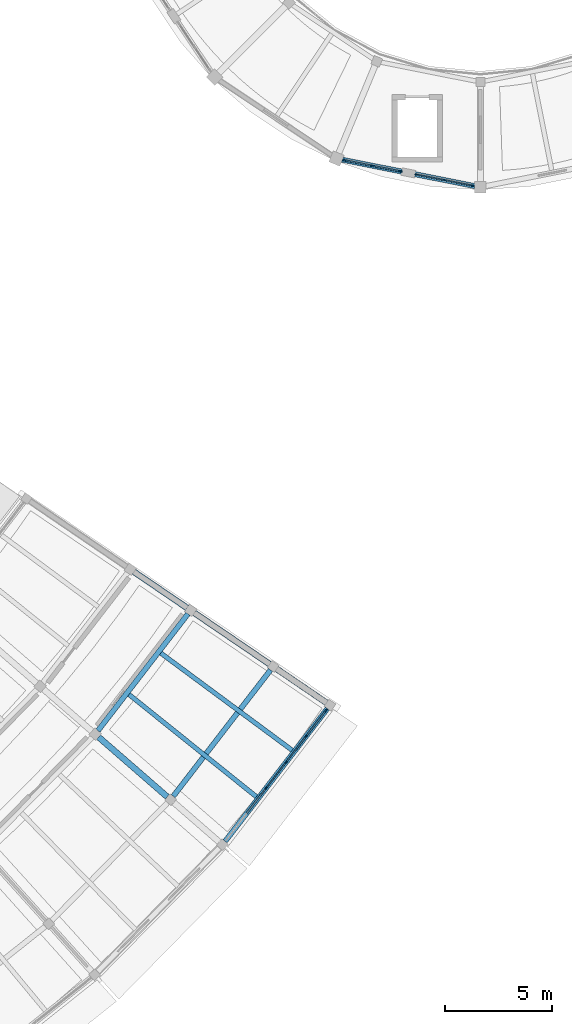
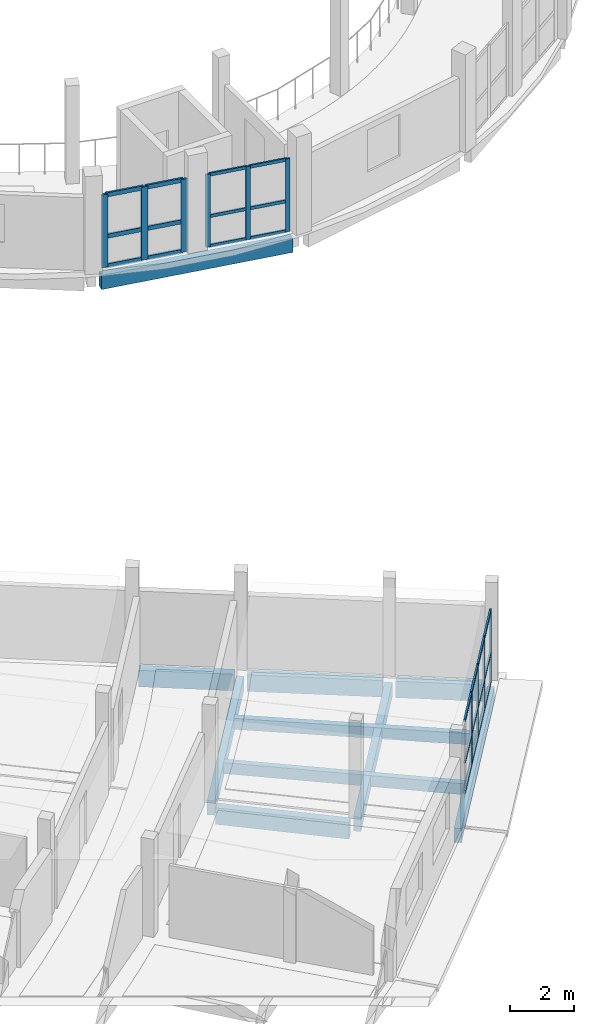
# One storey, part 40 of 77: 34 members, 10 beams, 3 elements without a shape of their own.
"""IFC4 building model written with IfcOpenShell, lengths in metres."""

from ifc_helpers import new_model, si_unit, direction, frame, origin, origin_2d, place, context, subcontext, project, spatial, rectangle, extrude, material, layer, layer_set, material_profile, profile_set, type_object, element, aggregate, save


model = new_model("IFC4")

# Units and contexts
model_context = context("Model", 3, precision=1e-05, world=origin(), true_north=direction((0.0, 1.0)))
body_context = subcontext(model_context, "Body", "Model", "MODEL_VIEW")
ifc_project = project(units=[si_unit("LENGTHUNIT", "METRE"), si_unit("AREAUNIT", "SQUARE_METRE"), si_unit("VOLUMEUNIT", "CUBIC_METRE"), si_unit("PLANEANGLEUNIT", "RADIAN"), si_unit("MASSUNIT", "GRAM", prefix="KILO")], contexts=[model_context])

# Site, building, storey
site_placement = place(None, origin())
site = spatial("IfcSite", under=ifc_project, at=site_placement, CompositionType="ELEMENT")
building_placement = place(site_placement, origin())
building = spatial("IfcBuilding", under=site, at=building_placement, Name="Caldaven Crescent School", CompositionType="ELEMENT")
storey_placement = place(building_placement, frame((0.0, 0.0, 4.419921875)))
storey = spatial("IfcBuildingStorey", under=building, at=storey_placement, Name="L01", CompositionType="ELEMENT", Elevation=4.419921875)

# Beams
ifc_material_1 = material(Name="Glulam MLE24h (GL28h)", Category="wood")
ifc_material_profile_1 = material_profile(ifc_material_1, rectangle(XDim=0.239990234375, YDim=0.5400390625, at=origin_2d()), Name="MLE 240x540")
ifc_profile_set_1 = profile_set([ifc_material_profile_1], Name="Glulam MLE24h (GL28h)")
beam_type_1 = type_object("IfcBeamType", Name="BM-GL54", PredefinedType="BEAM", material=ifc_profile_set_1)
beam_1_placement = place(storey_placement, frame((134.690673828125, 55.68359375, -0.489990234375), z_axis=(0.610409413831, 0.792086073294, 0.0), x_axis=(-0.792086073294, 0.610409413831, 0.0)))
element("IfcBeam", 1, at=beam_1_placement, inside=storey, type_object=beam_type_1, Name="BMT-V4E-L01-1128", PredefinedType="BEAM", context=body_context, shape_type="SweptSolid", body=[
    extrude(rectangle(XDim=0.239990234375, YDim=0.5400390625, at=origin_2d()), origin(), (0.0, 0.0, 1.0), 6.870849609375),
])
beam_2_placement = place(storey_placement, frame((138.2001953125, 52.6328125, -0.489990234375), z_axis=(0.610378420068, 0.792109957213, 0.0), x_axis=(-0.792109957213, 0.610378420068, 0.0)))
element("IfcBeam", 2, at=beam_2_placement, inside=storey, type_object=beam_type_1, Name="BMT-V4E-L01-1129", PredefinedType="BEAM", context=body_context, shape_type="SweptSolid", body=[
    extrude(rectangle(XDim=0.239990234375, YDim=0.5400390625, at=origin_2d()), origin(), (0.0, 0.0, 1.0), 7.419677734375),
])
ifc_material_profile_2 = material_profile(ifc_material_1, rectangle(XDim=0.280029296875, YDim=0.6298828125, at=origin_2d()), Name="MLE 280x630")
ifc_profile_set_2 = profile_set([ifc_material_profile_2], Name="Glulam MLE24h (GL28h)")
beam_type_2 = type_object("IfcBeamType", Name="BM-GL63", PredefinedType="BEAM", material=ifc_profile_set_2)
beam_3_placement = place(storey_placement, frame((134.72021484375, 55.38671875, -0.534912109375), z_axis=(0.754702203892, -0.656067514392, 0.0), x_axis=(0.656067514392, 0.754702203892, 0.0)))
element("IfcBeam", 3, at=beam_3_placement, inside=storey, type_object=beam_type_2, Name="BMR-V4E-L01-1088", PredefinedType="BEAM", context=body_context, shape_type="SweptSolid", body=[
    extrude(rectangle(XDim=0.280029296875, YDim=0.6298828125, at=origin_2d()), origin(), (0.0, 0.0, 1.0), 4.239990234375),
])
beam_4_placement = place(storey_placement, frame((136.368408203125, 63.0859375, -0.534912109375), z_axis=(0.826736616188, -0.562589164003, 0.0), x_axis=(0.562589164003, 0.826736616188, 0.0)))
element("IfcBeam", 4, at=beam_4_placement, inside=storey, type_object=beam_type_2, Name="BMR-V4E-L01-1091", PredefinedType="BEAM", context=body_context, shape_type="SweptSolid", body=[
    extrude(rectangle(XDim=0.280029296875, YDim=0.6298828125, at=origin_2d()), origin(), (0.0, 0.0, 1.0), 2.989990234375),
])
beam_5_placement = place(storey_placement, frame((139.17919921875, 61.173095703125, -0.534912109375), z_axis=(0.82675082018, -0.562568290372, 0.0), x_axis=(0.562568290372, 0.82675082018, 0.0)))
element("IfcBeam", 5, at=beam_5_placement, inside=storey, type_object=beam_type_2, Name="BMR-V4E-L01-1092", PredefinedType="BEAM", context=body_context, shape_type="SweptSolid", body=[
    extrude(rectangle(XDim=0.280029296875, YDim=0.6298828125, at=origin_2d()), origin(), (0.0, 0.0, 1.0), 4.239990234375),
])
beam_6_placement = place(storey_placement, frame((143.023681640625, 58.55712890625, -0.534912109375), z_axis=(0.826749057063, -0.562570881441, 0.0), x_axis=(0.562570881441, 0.826749057063, 0.0)))
element("IfcBeam", 6, at=beam_6_placement, inside=storey, type_object=beam_type_2, Name="BMR-V4E-L01-1093", PredefinedType="BEAM", context=body_context, shape_type="SweptSolid", body=[
    extrude(rectangle(XDim=0.280029296875, YDim=0.6298828125, at=origin_2d()), origin(), (0.0, 0.0, 1.0), 2.7900390625),
])

# Curtain wall, members
ifc_material_2 = material(Name="Anodised aluminium AA 6063-T6 and low-E double glazing", Category="aluminium")
ifc_layer_1 = layer(ifc_material_2, 0.169921875)
ifc_layer_set_1 = layer_set([ifc_layer_1], Name="Anodised aluminium AA 6063-T6 and low-E double glazing")
curtain_wall_type_1 = type_object("IfcCurtainWallType", Name="CW-SYS1", PredefinedType="NOTDEFINED", material=ifc_layer_set_1)
curtain_wall_1_placement = place(storey_placement, origin())
curtain_wall_1 = element("IfcCurtainWall", 7, at=curtain_wall_1_placement, inside=storey, type_object=curtain_wall_type_1, Name="CW-L01-028", PredefinedType="NOTDEFINED")
ifc_material_3 = material(Name="Anodised aluminium AA 6063-T6", Category="aluminium")
ifc_material_profile_3 = material_profile(ifc_material_3, rectangle(XDim=0.06005859375, YDim=0.14990234375, at=origin_2d()), Name="CWM 60x150")
ifc_profile_set_3 = profile_set([ifc_material_profile_3], Name="Anodised aluminium AA 6063-T6")
member_type_1 = type_object("IfcMemberType", Name="CWM-T1", PredefinedType="MULLION", material=ifc_profile_set_3)
member_1_placement = place(storey_placement, frame((149.533935546875, 81.590087890625, 0.0), z_axis=(0.0, 0.0, 1.0), x_axis=(0.195090276825, 0.980785289392, 0.0)))
member_1 = element("IfcMember", 8, at=member_1_placement, type_object=member_type_1, Name="CW1 mullion 1", PredefinedType="MULLION", context=body_context, shape_type="SweptSolid", body=[
    extrude(rectangle(XDim=0.06005859375, YDim=0.14990234375, at=origin_2d()), origin(), (0.0, 0.0, 1.0), 2.780029296875),
])
member_2_placement = place(storey_placement, frame((150.82568359375, 81.3330078125, 0.0), z_axis=(0.0, 0.0, 1.0), x_axis=(0.195090276825, 0.980785289392, 0.0)))
member_2 = element("IfcMember", 9, at=member_2_placement, type_object=member_type_1, Name="CW1 mullion 2", PredefinedType="MULLION", context=body_context, shape_type="SweptSolid", body=[
    extrude(rectangle(XDim=0.06005859375, YDim=0.14990234375, at=origin_2d()), origin(), (0.0, 0.0, 1.0), 2.780029296875),
])
member_3_placement = place(storey_placement, frame((152.117431640625, 81.076171875, 0.0), z_axis=(0.0, 0.0, 1.0), x_axis=(0.195090276825, 0.980785289392, 0.0)))
member_3 = element("IfcMember", 10, at=member_3_placement, type_object=member_type_1, Name="CW1 mullion 3", PredefinedType="MULLION", context=body_context, shape_type="SweptSolid", body=[
    extrude(rectangle(XDim=0.06005859375, YDim=0.14990234375, at=origin_2d()), origin(), (0.0, 0.0, 1.0), 2.780029296875),
])

ifc_layer_2 = layer(ifc_material_2, 0.2099609375)
ifc_layer_set_2 = layer_set([ifc_layer_2], Name="Anodised aluminium AA 6063-T6 and low-E double glazing")
curtain_wall_type_2 = type_object("IfcCurtainWallType", Name="CW-SYS3", PredefinedType="NOTDEFINED", material=ifc_layer_set_2)
curtain_wall_2_placement = place(storey_placement, origin())
curtain_wall_2 = element("IfcCurtainWall", 11, at=curtain_wall_2_placement, inside=storey, type_object=curtain_wall_type_2, Name="CW-L01-135", PredefinedType="NOTDEFINED")
member_4_placement = place(storey_placement, frame((142.530517578125, 53.01904296875, 0.0), z_axis=(0.0, 0.0, 1.0), x_axis=(-0.792104244757, 0.610385833254, 0.0)))
member_4 = element("IfcMember", 12, at=member_4_placement, type_object=member_type_1, Name="CW3 mullion 3", PredefinedType="MULLION", context=body_context, shape_type="SweptSolid", body=[
    extrude(rectangle(XDim=0.06005859375, YDim=0.14990234375, at=origin_2d()), origin(), (0.0, 0.0, 1.0), 2.780029296875),
])
member_5_placement = place(storey_placement, frame((143.459228515625, 54.22412109375, 0.0), z_axis=(0.0, 0.0, 1.0), x_axis=(-0.792104244757, 0.610385833254, 0.0)))
member_5 = element("IfcMember", 13, at=member_5_placement, type_object=member_type_1, Name="CW3 mullion 4", PredefinedType="MULLION", context=body_context, shape_type="SweptSolid", body=[
    extrude(rectangle(XDim=0.06005859375, YDim=0.14990234375, at=origin_2d()), origin(), (0.0, 0.0, 1.0), 2.780029296875),
])
member_6_placement = place(storey_placement, frame((144.387939453125, 55.429443359375, 0.0), z_axis=(0.0, 0.0, 1.0), x_axis=(-0.792104244757, 0.610385833254, 0.0)))
member_6 = element("IfcMember", 14, at=member_6_placement, type_object=member_type_1, Name="CW3 mullion 5", PredefinedType="MULLION", context=body_context, shape_type="SweptSolid", body=[
    extrude(rectangle(XDim=0.06005859375, YDim=0.14990234375, at=origin_2d()), origin(), (0.0, 0.0, 1.0), 2.780029296875),
])
member_7_placement = place(storey_placement, frame((145.29833984375, 56.61083984375, 0.0), z_axis=(0.0, 0.0, 1.0), x_axis=(-0.792104244757, 0.610385833254, 0.0)))
member_7 = element("IfcMember", 15, at=member_7_placement, type_object=member_type_1, Name="CW3 mullion 6", PredefinedType="MULLION", context=body_context, shape_type="SweptSolid", body=[
    extrude(rectangle(XDim=0.06005859375, YDim=0.14990234375, at=origin_2d()), origin(), (0.0, 0.0, 1.0), 2.780029296875),
])

ifc_layer_3 = layer(ifc_material_2, 0.22998046875)
ifc_layer_set_3 = layer_set([ifc_layer_3], Name="Anodised aluminium AA 6063-T6 and low-E double glazing")
curtain_wall_type_3 = type_object("IfcCurtainWallType", Name="CW-SYS4", PredefinedType="NOTDEFINED", material=ifc_layer_set_3)
curtain_wall_3_placement = place(storey_placement, origin())
curtain_wall_3 = element("IfcCurtainWall", 16, at=curtain_wall_3_placement, inside=storey, type_object=curtain_wall_type_3, Name="CW-L01-027", PredefinedType="NOTDEFINED")
ifc_material_profile_4 = material_profile(ifc_material_3, rectangle(XDim=0.070068359375, YDim=0.2099609375, at=origin_2d()), Name="CWM 70x210")
ifc_profile_set_4 = profile_set([ifc_material_profile_4], Name="Anodised aluminium AA 6063-T6")
member_type_2 = type_object("IfcMemberType", Name="CWM-T3", PredefinedType="MULLION", material=ifc_profile_set_4)
member_8_placement = place(storey_placement, frame((146.1904296875, 82.255126953125, 0.0), z_axis=(0.0, 0.0, 1.0), x_axis=(0.195090276825, 0.980785289392, 0.0)))
member_8 = element("IfcMember", 17, at=member_8_placement, type_object=member_type_2, Name="CW4 mullion 1", PredefinedType="MULLION", context=body_context, shape_type="SweptSolid", body=[
    extrude(rectangle(XDim=0.070068359375, YDim=0.2099609375, at=origin_2d()), origin(), (0.0, 0.0, 1.0), 2.780029296875),
])
member_9_placement = place(storey_placement, frame((147.477294921875, 81.9990234375, 0.0), z_axis=(0.0, 0.0, 1.0), x_axis=(0.195090276825, 0.980785289392, 0.0)))
member_9 = element("IfcMember", 18, at=member_9_placement, type_object=member_type_2, Name="CW4 mullion 2", PredefinedType="MULLION", context=body_context, shape_type="SweptSolid", body=[
    extrude(rectangle(XDim=0.070068359375, YDim=0.2099609375, at=origin_2d()), origin(), (0.0, 0.0, 1.0), 2.780029296875),
])
member_10_placement = place(storey_placement, frame((148.76416015625, 81.7431640625, 0.0), z_axis=(0.0, 0.0, 1.0), x_axis=(0.195090276825, 0.980785289392, 0.0)))
member_10 = element("IfcMember", 19, at=member_10_placement, type_object=member_type_2, Name="CW4 mullion 3", PredefinedType="MULLION", context=body_context, shape_type="SweptSolid", body=[
    extrude(rectangle(XDim=0.070068359375, YDim=0.2099609375, at=origin_2d()), origin(), (0.0, 0.0, 1.0), 2.780029296875),
])

# Member
ifc_material_profile_5 = material_profile(ifc_material_3, rectangle(XDim=0.06005859375, YDim=0.1201171875, at=origin_2d()), Name="CWT 60x120")
ifc_profile_set_5 = profile_set([ifc_material_profile_5], Name="Anodised aluminium AA 6063-T6")
member_type_3 = type_object("IfcMemberType", Name="CWT-T1", PredefinedType="USERDEFINED", material=ifc_profile_set_5)
member_11_placement = place(storey_placement, frame((149.5634765625, 81.584228515625, 0.030029296875), z_axis=(0.98076697277, -0.195182338145, 0.0), x_axis=(0.195182338145, 0.98076697277, 0.0)))
member_11 = element("IfcMember", 20, at=member_11_placement, type_object=member_type_3, Name="CW1 transom 1.1", ObjectType="TRANSOM", PredefinedType="USERDEFINED", context=body_context, shape_type="SweptSolid", body=[
    extrude(rectangle(XDim=0.06005859375, YDim=0.1201171875, at=origin_2d()), origin(), (0.0, 0.0, 1.0), 1.257080078125),
])

member_12_placement = place(storey_placement, frame((149.5634765625, 81.584228515625, 1.16796875), z_axis=(0.98076697277, -0.195182338145, 0.0), x_axis=(0.195182338145, 0.98076697277, 0.0)))
member_12 = element("IfcMember", 21, at=member_12_placement, type_object=member_type_3, Name="CW1 transom 1.2", ObjectType="TRANSOM", PredefinedType="USERDEFINED", context=body_context, shape_type="SweptSolid", body=[
    extrude(rectangle(XDim=0.06005859375, YDim=0.1201171875, at=origin_2d()), origin(), (0.0, 0.0, 1.0), 1.257080078125),
])

member_13_placement = place(storey_placement, frame((149.5634765625, 81.584228515625, 2.75), z_axis=(0.98076697277, -0.195182338145, 0.0), x_axis=(0.195182338145, 0.98076697277, 0.0)))
member_13 = element("IfcMember", 22, at=member_13_placement, type_object=member_type_3, Name="CW1 transom 1.3", ObjectType="TRANSOM", PredefinedType="USERDEFINED", context=body_context, shape_type="SweptSolid", body=[
    extrude(rectangle(XDim=0.06005859375, YDim=0.1201171875, at=origin_2d()), origin(), (0.0, 0.0, 1.0), 1.257080078125),
])

member_14_placement = place(storey_placement, frame((150.855224609375, 81.3271484375, 0.030029296875), z_axis=(0.980804133939, -0.194995514945, 0.0), x_axis=(0.194995514945, 0.980804133939, 0.0)))
member_14 = element("IfcMember", 23, at=member_14_placement, type_object=member_type_3, Name="CW1 transom 2.1", ObjectType="TRANSOM", PredefinedType="USERDEFINED", context=body_context, shape_type="SweptSolid", body=[
    extrude(rectangle(XDim=0.06005859375, YDim=0.1201171875, at=origin_2d()), origin(), (0.0, 0.0, 1.0), 1.257080078125),
])

member_15_placement = place(storey_placement, frame((150.855224609375, 81.3271484375, 1.16796875), z_axis=(0.980804133939, -0.194995514945, 0.0), x_axis=(0.194995514945, 0.980804133939, 0.0)))
member_15 = element("IfcMember", 24, at=member_15_placement, type_object=member_type_3, Name="CW1 transom 2.2", ObjectType="TRANSOM", PredefinedType="USERDEFINED", context=body_context, shape_type="SweptSolid", body=[
    extrude(rectangle(XDim=0.06005859375, YDim=0.1201171875, at=origin_2d()), origin(), (0.0, 0.0, 1.0), 1.257080078125),
])

member_16_placement = place(storey_placement, frame((150.855224609375, 81.3271484375, 2.75), z_axis=(0.980804133939, -0.194995514945, 0.0), x_axis=(0.194995514945, 0.980804133939, 0.0)))
member_16 = element("IfcMember", 25, at=member_16_placement, type_object=member_type_3, Name="CW1 transom 2.3", ObjectType="TRANSOM", PredefinedType="USERDEFINED", context=body_context, shape_type="SweptSolid", body=[
    extrude(rectangle(XDim=0.06005859375, YDim=0.1201171875, at=origin_2d()), origin(), (0.0, 0.0, 1.0), 1.257080078125),
])

aggregate(curtain_wall_1, [member_1, member_2, member_3, member_11, member_12, member_13, member_14, member_15, member_16])

member_17_placement = place(storey_placement, frame((141.6201171875, 51.837646484375, 0.030029296875), z_axis=(0.610372507609, 0.792114513158, 0.0), x_axis=(-0.792114513158, 0.610372507609, 0.0)))
member_17 = element("IfcMember", 26, at=member_17_placement, type_object=member_type_3, Name="CW3 transom 2.1", ObjectType="TRANSOM", PredefinedType="USERDEFINED", context=body_context, shape_type="SweptSolid", body=[
    extrude(rectangle(XDim=0.06005859375, YDim=0.1201171875, at=origin_2d()), origin(), (0.0, 0.0, 1.0), 1.461669921875),
])

member_18_placement = place(storey_placement, frame((141.6201171875, 51.837646484375, 1.16796875), z_axis=(0.610372507609, 0.792114513158, 0.0), x_axis=(-0.792114513158, 0.610372507609, 0.0)))
member_18 = element("IfcMember", 27, at=member_18_placement, type_object=member_type_3, Name="CW3 transom 2.2", ObjectType="TRANSOM", PredefinedType="USERDEFINED", context=body_context, shape_type="SweptSolid", body=[
    extrude(rectangle(XDim=0.06005859375, YDim=0.1201171875, at=origin_2d()), origin(), (0.0, 0.0, 1.0), 1.461669921875),
])

member_19_placement = place(storey_placement, frame((141.6201171875, 51.837646484375, 2.75), z_axis=(0.610372507609, 0.792114513158, 0.0), x_axis=(-0.792114513158, 0.610372507609, 0.0)))
member_19 = element("IfcMember", 28, at=member_19_placement, type_object=member_type_3, Name="CW3 transom 2.3", ObjectType="TRANSOM", PredefinedType="USERDEFINED", context=body_context, shape_type="SweptSolid", body=[
    extrude(rectangle(XDim=0.06005859375, YDim=0.1201171875, at=origin_2d()), origin(), (0.0, 0.0, 1.0), 1.461669921875),
])

member_20_placement = place(storey_placement, frame((142.548828125, 53.042724609375, 0.030029296875), z_axis=(0.610372507609, 0.792114513158, 0.0), x_axis=(-0.792114513158, 0.610372507609, 0.0)))
member_20 = element("IfcMember", 29, at=member_20_placement, type_object=member_type_3, Name="CW3 transom 3.1", ObjectType="TRANSOM", PredefinedType="USERDEFINED", context=body_context, shape_type="SweptSolid", body=[
    extrude(rectangle(XDim=0.06005859375, YDim=0.1201171875, at=origin_2d()), origin(), (0.0, 0.0, 1.0), 1.461669921875),
])

member_21_placement = place(storey_placement, frame((142.548828125, 53.042724609375, 1.16796875), z_axis=(0.610372507609, 0.792114513158, 0.0), x_axis=(-0.792114513158, 0.610372507609, 0.0)))
member_21 = element("IfcMember", 30, at=member_21_placement, type_object=member_type_3, Name="CW3 transom 3.2", ObjectType="TRANSOM", PredefinedType="USERDEFINED", context=body_context, shape_type="SweptSolid", body=[
    extrude(rectangle(XDim=0.06005859375, YDim=0.1201171875, at=origin_2d()), origin(), (0.0, 0.0, 1.0), 1.461669921875),
])

member_22_placement = place(storey_placement, frame((142.548828125, 53.042724609375, 2.75), z_axis=(0.610372507609, 0.792114513158, 0.0), x_axis=(-0.792114513158, 0.610372507609, 0.0)))
member_22 = element("IfcMember", 31, at=member_22_placement, type_object=member_type_3, Name="CW3 transom 3.3", ObjectType="TRANSOM", PredefinedType="USERDEFINED", context=body_context, shape_type="SweptSolid", body=[
    extrude(rectangle(XDim=0.06005859375, YDim=0.1201171875, at=origin_2d()), origin(), (0.0, 0.0, 1.0), 1.461669921875),
])

member_23_placement = place(storey_placement, frame((143.4775390625, 54.248046875, 0.030029296875), z_axis=(0.610453277548, 0.792052268434, 0.0), x_axis=(-0.792052268434, 0.610453277548, 0.0)))
member_23 = element("IfcMember", 32, at=member_23_placement, type_object=member_type_3, Name="CW3 transom 4.1", ObjectType="TRANSOM", PredefinedType="USERDEFINED", context=body_context, shape_type="SweptSolid", body=[
    extrude(rectangle(XDim=0.06005859375, YDim=0.1201171875, at=origin_2d()), origin(), (0.0, 0.0, 1.0), 1.46142578125),
])

member_24_placement = place(storey_placement, frame((143.4775390625, 54.248046875, 1.16796875), z_axis=(0.610453277548, 0.792052268434, 0.0), x_axis=(-0.792052268434, 0.610453277548, 0.0)))
member_24 = element("IfcMember", 33, at=member_24_placement, type_object=member_type_3, Name="CW3 transom 4.2", ObjectType="TRANSOM", PredefinedType="USERDEFINED", context=body_context, shape_type="SweptSolid", body=[
    extrude(rectangle(XDim=0.06005859375, YDim=0.1201171875, at=origin_2d()), origin(), (0.0, 0.0, 1.0), 1.46142578125),
])

member_25_placement = place(storey_placement, frame((143.4775390625, 54.248046875, 2.75), z_axis=(0.610453277548, 0.792052268434, 0.0), x_axis=(-0.792052268434, 0.610453277548, 0.0)))
member_25 = element("IfcMember", 34, at=member_25_placement, type_object=member_type_3, Name="CW3 transom 4.3", ObjectType="TRANSOM", PredefinedType="USERDEFINED", context=body_context, shape_type="SweptSolid", body=[
    extrude(rectangle(XDim=0.06005859375, YDim=0.1201171875, at=origin_2d()), origin(), (0.0, 0.0, 1.0), 1.46142578125),
])

member_26_placement = place(storey_placement, frame((144.40625, 55.453125, 0.030029296875), z_axis=(0.6104276164, 0.792072045421, 0.0), x_axis=(-0.792072045421, 0.6104276164, 0.0)))
member_26 = element("IfcMember", 35, at=member_26_placement, type_object=member_type_3, Name="CW3 transom 5.1", ObjectType="TRANSOM", PredefinedType="USERDEFINED", context=body_context, shape_type="SweptSolid", body=[
    extrude(rectangle(XDim=0.06005859375, YDim=0.1201171875, at=origin_2d()), origin(), (0.0, 0.0, 1.0), 1.431396484375),
])

member_27_placement = place(storey_placement, frame((144.40625, 55.453125, 1.16796875), z_axis=(0.6104276164, 0.792072045421, 0.0), x_axis=(-0.792072045421, 0.6104276164, 0.0)))
member_27 = element("IfcMember", 36, at=member_27_placement, type_object=member_type_3, Name="CW3 transom 5.2", ObjectType="TRANSOM", PredefinedType="USERDEFINED", context=body_context, shape_type="SweptSolid", body=[
    extrude(rectangle(XDim=0.06005859375, YDim=0.1201171875, at=origin_2d()), origin(), (0.0, 0.0, 1.0), 1.431396484375),
])

member_28_placement = place(storey_placement, frame((144.40625, 55.453125, 2.75), z_axis=(0.6104276164, 0.792072045421, 0.0), x_axis=(-0.792072045421, 0.6104276164, 0.0)))
member_28 = element("IfcMember", 37, at=member_28_placement, type_object=member_type_3, Name="CW3 transom 5.3", ObjectType="TRANSOM", PredefinedType="USERDEFINED", context=body_context, shape_type="SweptSolid", body=[
    extrude(rectangle(XDim=0.06005859375, YDim=0.1201171875, at=origin_2d()), origin(), (0.0, 0.0, 1.0), 1.431396484375),
])

aggregate(curtain_wall_2, [member_4, member_5, member_6, member_7, member_17, member_18, member_19, member_20, member_21, member_22, member_23, member_24, member_25, member_26, member_27, member_28])

ifc_material_profile_6 = material_profile(ifc_material_3, rectangle(XDim=0.070068359375, YDim=0.159912109375, at=origin_2d()), Name="CWT 70x160")
ifc_profile_set_6 = profile_set([ifc_material_profile_6], Name="Anodised aluminium AA 6063-T6")
member_type_4 = type_object("IfcMemberType", Name="CWT-T3", PredefinedType="USERDEFINED", material=ifc_profile_set_6)
member_29_placement = place(storey_placement, frame((146.224853515625, 82.248291015625, 0.03515625), z_axis=(0.98076171885, -0.195208736584, 0.0), x_axis=(0.195208736584, 0.98076171885, 0.0)))
member_29 = element("IfcMember", 38, at=member_29_placement, type_object=member_type_4, Name="CW4 transom 1.1", ObjectType="TRANSOM", PredefinedType="USERDEFINED", context=body_context, shape_type="SweptSolid", body=[
    extrude(rectangle(XDim=0.070068359375, YDim=0.159912109375, at=origin_2d()), origin(), (0.0, 0.0, 1.0), 1.241943359375),
])

member_30_placement = place(storey_placement, frame((146.224853515625, 82.248291015625, 1.16796875), z_axis=(0.98076171885, -0.195208736584, 0.0), x_axis=(0.195208736584, 0.98076171885, 0.0)))
member_30 = element("IfcMember", 39, at=member_30_placement, type_object=member_type_4, Name="CW4 transom 1.2", ObjectType="TRANSOM", PredefinedType="USERDEFINED", context=body_context, shape_type="SweptSolid", body=[
    extrude(rectangle(XDim=0.070068359375, YDim=0.159912109375, at=origin_2d()), origin(), (0.0, 0.0, 1.0), 1.241943359375),
])

member_31_placement = place(storey_placement, frame((146.224853515625, 82.248291015625, 2.7451171875), z_axis=(0.98076171885, -0.195208736584, 0.0), x_axis=(0.195208736584, 0.98076171885, 0.0)))
member_31 = element("IfcMember", 40, at=member_31_placement, type_object=member_type_4, Name="CW4 transom 1.3", ObjectType="TRANSOM", PredefinedType="USERDEFINED", context=body_context, shape_type="SweptSolid", body=[
    extrude(rectangle(XDim=0.070068359375, YDim=0.159912109375, at=origin_2d()), origin(), (0.0, 0.0, 1.0), 1.241943359375),
])

member_32_placement = place(storey_placement, frame((147.51171875, 81.9921875, 0.03515625), z_axis=(0.980799338869, -0.195019632022, 0.0), x_axis=(0.195019632022, 0.980799338869, 0.0)))
member_32 = element("IfcMember", 41, at=member_32_placement, type_object=member_type_4, Name="CW4 transom 2.1", ObjectType="TRANSOM", PredefinedType="USERDEFINED", context=body_context, shape_type="SweptSolid", body=[
    extrude(rectangle(XDim=0.070068359375, YDim=0.159912109375, at=origin_2d()), origin(), (0.0, 0.0, 1.0), 1.241943359375),
])

member_33_placement = place(storey_placement, frame((147.51171875, 81.9921875, 1.16796875), z_axis=(0.980799338869, -0.195019632022, 0.0), x_axis=(0.195019632022, 0.980799338869, 0.0)))
member_33 = element("IfcMember", 42, at=member_33_placement, type_object=member_type_4, Name="CW4 transom 2.2", ObjectType="TRANSOM", PredefinedType="USERDEFINED", context=body_context, shape_type="SweptSolid", body=[
    extrude(rectangle(XDim=0.070068359375, YDim=0.159912109375, at=origin_2d()), origin(), (0.0, 0.0, 1.0), 1.241943359375),
])

member_34_placement = place(storey_placement, frame((147.51171875, 81.9921875, 2.7451171875), z_axis=(0.980799338869, -0.195019632022, 0.0), x_axis=(0.195019632022, 0.980799338869, 0.0)))
member_34 = element("IfcMember", 43, at=member_34_placement, type_object=member_type_4, Name="CW4 transom 2.3", ObjectType="TRANSOM", PredefinedType="USERDEFINED", context=body_context, shape_type="SweptSolid", body=[
    extrude(rectangle(XDim=0.070068359375, YDim=0.159912109375, at=origin_2d()), origin(), (0.0, 0.0, 1.0), 1.241943359375),
])

aggregate(curtain_wall_3, [member_8, member_9, member_10, member_29, member_30, member_31, member_32, member_33, member_34])

# Beams
ifc_material_profile_7 = material_profile(ifc_material_1, rectangle(XDim=0.2099609375, YDim=0.419921875, at=origin_2d()), Name="MLE 210x420")
ifc_profile_set_7 = profile_set([ifc_material_profile_7], Name="Glulam MLE24h (GL28h)")
beam_type_3 = type_object("IfcBeamType", Name="JS-GL42", PredefinedType="JOIST", material=ifc_profile_set_7)
for number, where, z_axis, x_axis, name in (
    (44, (136.13671875, 57.37158203125, -0.429931640625), (0.779931824174, -0.625864481849, 0.0), (0.625864481849, 0.779931824174, 0.0), "JSR-V4E-L01-1132"),
    (45, (137.620849609375, 59.297607421875, -0.429931640625), (0.803968012715, -0.594672543952, 0.0), (0.594672543952, 0.803968012715, 0.0), "JSR-V4E-L01-1134"),
):
    element("IfcBeam", number, at=place(storey_placement, frame(where, z_axis=z_axis, x_axis=x_axis)), inside=storey, type_object=beam_type_3, Name=name, PredefinedType="JOIST", context=body_context, shape_type="SweptSolid", body=[
        extrude(rectangle(XDim=0.2099609375, YDim=0.419921875, at=origin_2d()), origin(), (0.0, 0.0, 1.0), 7.60791015625),
    ])
ifc_material_profile_8 = material_profile(ifc_material_1, rectangle(XDim=0.239990234375, YDim=0.5400390625, at=origin_2d()), Name="MLE 240x540")
ifc_profile_set_8 = profile_set([ifc_material_profile_8], Name="Glulam MLE24h (GL28h)")
beam_type_4 = type_object("IfcBeamType", Name="SP-GL54", PredefinedType="SPANDREL", material=ifc_profile_set_8)
beam_7_placement = place(storey_placement, frame((146.05810546875, 82.281494140625, -0.489990234375), z_axis=(0.980784074908, -0.195096382354, 0.0), x_axis=(0.195096382354, 0.980784074908, 0.0)))
element("IfcBeam", 46, at=beam_7_placement, inside=storey, type_object=beam_type_4, Name="BM-V1-L01-0126", PredefinedType="SPANDREL", context=body_context, shape_type="SweptSolid", body=[
    extrude(rectangle(XDim=0.239990234375, YDim=0.5400390625, at=origin_2d()), origin(), (0.0, 0.0, 1.0), 6.308349609375),
])
beam_8_placement = place(storey_placement, frame((140.615234375, 50.533447265625, -0.489990234375), z_axis=(0.610379368367, 0.792109226478, 0.0), x_axis=(-0.792109226478, 0.610379368367, 0.0)))
element("IfcBeam", 47, at=beam_8_placement, inside=storey, type_object=beam_type_4, Name="BMT-V4E-L01-1130", PredefinedType="SPANDREL", context=body_context, shape_type="SweptSolid", body=[
    extrude(rectangle(XDim=0.239990234375, YDim=0.5400390625, at=origin_2d()), origin(), (0.0, 0.0, 1.0), 7.79736328125),
])

save(model, "model.ifc")
